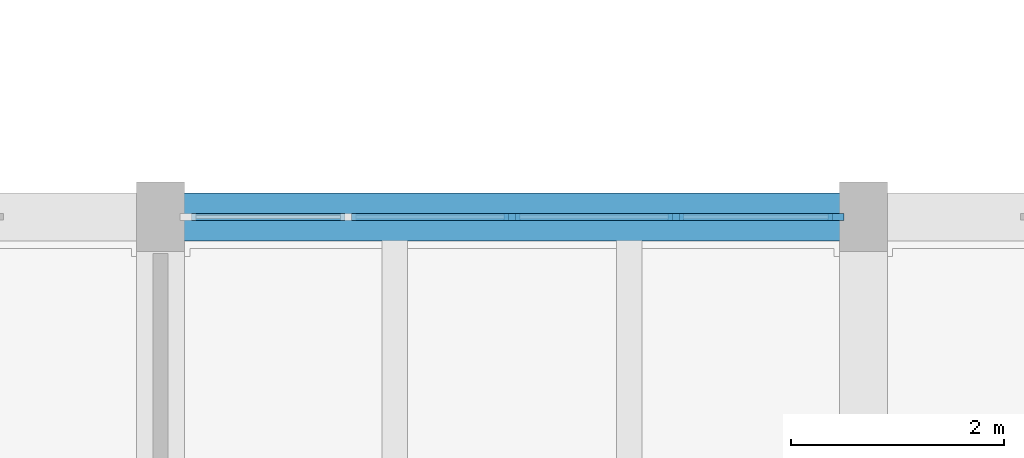
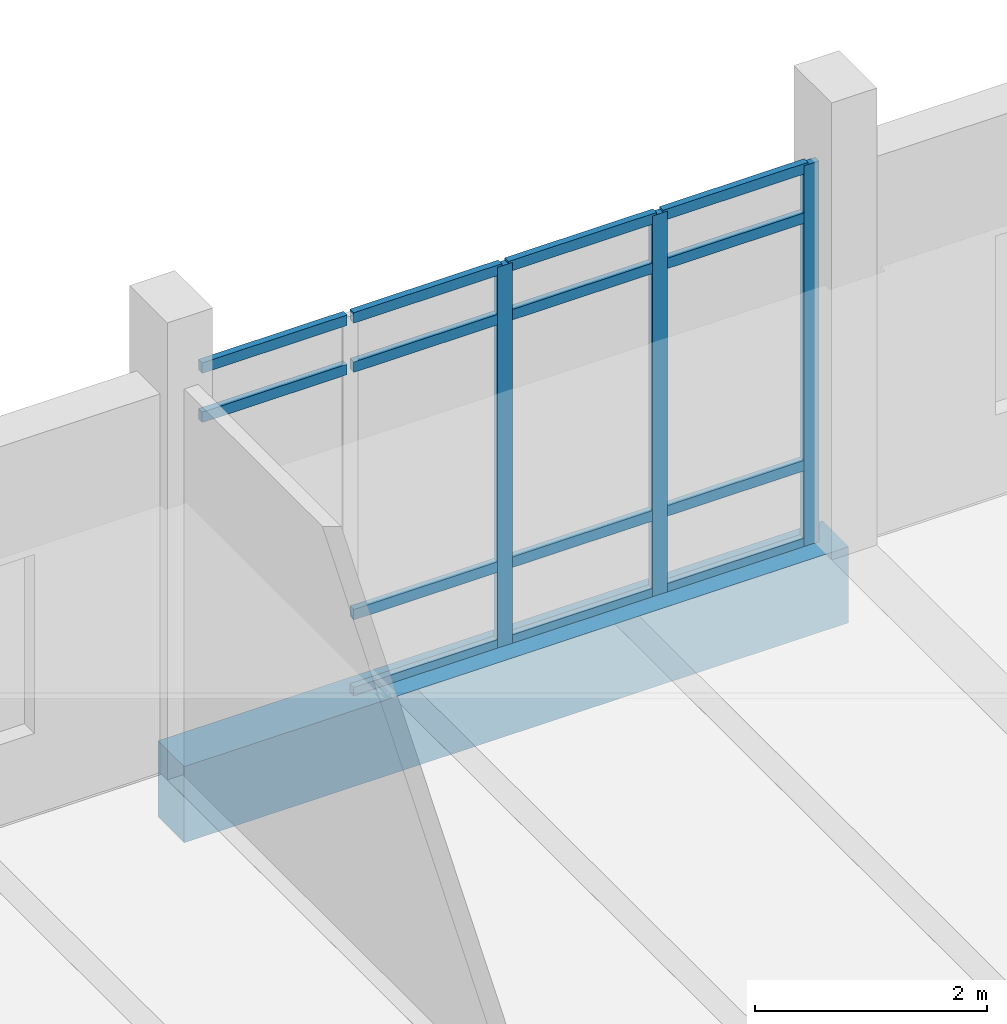
# One storey, part 21 of 101: 17 members, 1 beam, 1 element without a shape of its own.
"""IFC4 building model written with IfcOpenShell, lengths in metres."""

from ifc_helpers import new_model, si_unit, direction, frame, origin, origin_2d, place, context, subcontext, project, spatial, rectangle, extrude, material, material_profile, profile_set, type_object, element, aggregate, save


model = new_model("IFC4")

# Units and contexts
model_context = context("Model", 3, precision=1e-05, world=origin(), true_north=direction((0.0, 1.0)))
body_context = subcontext(model_context, "Body", "Model", "MODEL_VIEW")
ifc_project = project(units=[si_unit("LENGTHUNIT", "METRE"), si_unit("AREAUNIT", "SQUARE_METRE"), si_unit("VOLUMEUNIT", "CUBIC_METRE"), si_unit("PLANEANGLEUNIT", "RADIAN"), si_unit("MASSUNIT", "GRAM", prefix="KILO")], contexts=[model_context])

# Site, building, storey
site_placement = place(None, origin())
site = spatial("IfcSite", under=ifc_project, at=site_placement, CompositionType="ELEMENT")
building_placement = place(site_placement, origin())
building = spatial("IfcBuilding", under=site, at=building_placement, Name="Dornvale Research Institute", CompositionType="ELEMENT")
storey_placement = place(building_placement, frame((0.0, 0.0, 10.199951171875)))
storey = spatial("IfcBuildingStorey", under=building, at=storey_placement, Name="L02", CompositionType="ELEMENT", Elevation=10.199951171875)

# Curtain wall, members
ifc_material_1 = material(Name="Low-E Argon Double Insulating Glazing Unit", Category="glass")
curtain_wall_type = type_object("IfcCurtainWallType", Name="UnitisedCurtainWall_V3_6150x4000", PredefinedType="USERDEFINED", material=ifc_material_1)
curtain_wall_placement = place(storey_placement, origin())
curtain_wall = element("IfcCurtainWall", 1, at=curtain_wall_placement, inside=storey, type_object=curtain_wall_type, Name="L02 V3 unitised curtain wall CW-06 #43", ObjectType="UNITISED CURTAIN WALL", PredefinedType="USERDEFINED")
ifc_material_2 = material(Name="Anodized Aluminum AA 6063-T6 Thermally Broken Frame", Category="aluminium")
ifc_material_profile_1 = material_profile(ifc_material_2, rectangle(XDim=0.06494140625, YDim=0.14990234375, at=origin_2d()), Name="ALU MULLION 65x150")
ifc_profile_set_1 = profile_set([ifc_material_profile_1], Name="Anodized Aluminum AA 6063-T6 Thermally Broken Frame")
member_type_1 = type_object("IfcMemberType", Name="Mullion_CW_65x150", PredefinedType="MULLION", material=ifc_profile_set_1)
member_1_placement = place(storey_placement, frame((122.10009765625, 26.39990234375, 0.0), z_axis=(0.0, 0.0, 1.0), x_axis=(0.0, 1.0, 0.0)))
member_1 = element("IfcMember", 2, at=member_1_placement, type_object=member_type_1, Name="CW-06 mullion 3", PredefinedType="MULLION", context=body_context, shape_type="SweptSolid", body=[
    extrude(rectangle(XDim=0.06494140625, YDim=0.14990234375, at=origin_2d()), origin(), (0.0, 0.0, 1.0), 4.0),
])
member_2_placement = place(storey_placement, frame((123.637451171875, 26.39990234375, 0.0), z_axis=(0.0, 0.0, 1.0), x_axis=(0.0, 1.0, 0.0)))
member_2 = element("IfcMember", 3, at=member_2_placement, type_object=member_type_1, Name="CW-06 mullion 4", PredefinedType="MULLION", context=body_context, shape_type="SweptSolid", body=[
    extrude(rectangle(XDim=0.06494140625, YDim=0.14990234375, at=origin_2d()), origin(), (0.0, 0.0, 1.0), 4.0),
])
member_3_placement = place(storey_placement, frame((125.142578125, 26.39990234375, 0.0), z_axis=(0.0, 0.0, 1.0), x_axis=(0.0, 1.0, 0.0)))
member_3 = element("IfcMember", 4, at=member_3_placement, type_object=member_type_1, Name="CW-06 mullion 5", PredefinedType="MULLION", context=body_context, shape_type="SweptSolid", body=[
    extrude(rectangle(XDim=0.06494140625, YDim=0.14990234375, at=origin_2d()), origin(), (0.0, 0.0, 1.0), 4.0),
])

# Beam
ifc_material_3 = material(Name="Concrete f'c 45 MPa (C35/45)", Category="concrete")
ifc_material_profile_2 = material_profile(ifc_material_3, rectangle(XDim=0.449951171875, YDim=0.800048828125, at=origin_2d()), Name="RC 450x800")
ifc_profile_set_2 = profile_set([ifc_material_profile_2], Name="Concrete f'c 45 MPa (C35/45)")
beam_type = type_object("IfcBeamType", Name="Spandrel_RC450x800_Ext", PredefinedType="SPANDREL", material=ifc_profile_set_2)
beam_placement = place(storey_placement, frame((118.800048828125, 26.39990234375, -0.39990234375), z_axis=(1.0, 0.0, 0.0), x_axis=(0.0, 1.0, 0.0)))
element("IfcBeam", 5, at=beam_placement, inside=storey, type_object=beam_type, Name="L02 perimeter spandrel #737", PredefinedType="SPANDREL", context=body_context, shape_type="SweptSolid", body=[
    extrude(rectangle(XDim=0.449951171875, YDim=0.800048828125, at=origin_2d()), origin(), (0.0, 0.0, 1.0), 6.599853515625),
])

# Member
ifc_material_4 = material(Name="Anodized Aluminum AA 6063-T6 Thermally Broken Frame", Category="aluminium")
ifc_material_profile_3 = material_profile(ifc_material_4, rectangle(XDim=0.06494140625, YDim=0.110107421875, at=origin_2d()), Name="ALU TRANSOM 65x110")
ifc_profile_set_3 = profile_set([ifc_material_profile_3], Name="Anodized Aluminum AA 6063-T6 Thermally Broken Frame")
member_type_2 = type_object("IfcMemberType", Name="Transom_CW_65x110", PredefinedType="USERDEFINED", material=ifc_profile_set_3)
member_4_placement = place(storey_placement, frame((119.090087890625, 26.39990234375, 3.449951171875), z_axis=(1.0, 0.0, 0.0), x_axis=(0.0, 1.0, 0.0)))
member_4 = element("IfcMember", 6, at=member_4_placement, type_object=member_type_2, Name="CW-06 transom 1.3", ObjectType="TRANSOM", PredefinedType="USERDEFINED", context=body_context, shape_type="SweptSolid", body=[
    extrude(rectangle(XDim=0.06494140625, YDim=0.110107421875, at=origin_2d()), origin(), (0.0, 0.0, 1.0), 1.43994140625),
])

member_5_placement = place(storey_placement, frame((119.090087890625, 26.39990234375, 3.967529296875), z_axis=(1.0, 0.0, 0.0), x_axis=(0.0, 1.0, 0.0)))
member_5 = element("IfcMember", 7, at=member_5_placement, type_object=member_type_2, Name="CW-06 transom 1.4", ObjectType="TRANSOM", PredefinedType="USERDEFINED", context=body_context, shape_type="SweptSolid", body=[
    extrude(rectangle(XDim=0.06494140625, YDim=0.110107421875, at=origin_2d()), origin(), (0.0, 0.0, 1.0), 1.43994140625),
])

member_6_placement = place(storey_placement, frame((120.594970703125, 26.39990234375, 0.032470703125), z_axis=(1.0, 0.0, 0.0), x_axis=(0.0, 1.0, 0.0)))
member_6 = element("IfcMember", 8, at=member_6_placement, type_object=member_type_2, Name="CW-06 transom 2.1", ObjectType="TRANSOM", PredefinedType="USERDEFINED", context=body_context, shape_type="SweptSolid", body=[
    extrude(rectangle(XDim=0.06494140625, YDim=0.110107421875, at=origin_2d()), origin(), (0.0, 0.0, 1.0), 1.472412109375),
])

member_7_placement = place(storey_placement, frame((120.594970703125, 26.39990234375, 0.85009765625), z_axis=(1.0, 0.0, 0.0), x_axis=(0.0, 1.0, 0.0)))
member_7 = element("IfcMember", 9, at=member_7_placement, type_object=member_type_2, Name="CW-06 transom 2.2", ObjectType="TRANSOM", PredefinedType="USERDEFINED", context=body_context, shape_type="SweptSolid", body=[
    extrude(rectangle(XDim=0.06494140625, YDim=0.110107421875, at=origin_2d()), origin(), (0.0, 0.0, 1.0), 1.472412109375),
])

member_8_placement = place(storey_placement, frame((120.594970703125, 26.39990234375, 3.449951171875), z_axis=(1.0, 0.0, 0.0), x_axis=(0.0, 1.0, 0.0)))
member_8 = element("IfcMember", 10, at=member_8_placement, type_object=member_type_2, Name="CW-06 transom 2.3", ObjectType="TRANSOM", PredefinedType="USERDEFINED", context=body_context, shape_type="SweptSolid", body=[
    extrude(rectangle(XDim=0.06494140625, YDim=0.110107421875, at=origin_2d()), origin(), (0.0, 0.0, 1.0), 1.472412109375),
])

member_9_placement = place(storey_placement, frame((120.594970703125, 26.39990234375, 3.967529296875), z_axis=(1.0, 0.0, 0.0), x_axis=(0.0, 1.0, 0.0)))
member_9 = element("IfcMember", 11, at=member_9_placement, type_object=member_type_2, Name="CW-06 transom 2.4", ObjectType="TRANSOM", PredefinedType="USERDEFINED", context=body_context, shape_type="SweptSolid", body=[
    extrude(rectangle(XDim=0.06494140625, YDim=0.110107421875, at=origin_2d()), origin(), (0.0, 0.0, 1.0), 1.472412109375),
])

member_10_placement = place(storey_placement, frame((122.132568359375, 26.39990234375, 0.032470703125), z_axis=(1.0, 0.0, 0.0), x_axis=(0.0, 1.0, 0.0)))
member_10 = element("IfcMember", 12, at=member_10_placement, type_object=member_type_2, Name="CW-06 transom 3.1", ObjectType="TRANSOM", PredefinedType="USERDEFINED", context=body_context, shape_type="SweptSolid", body=[
    extrude(rectangle(XDim=0.06494140625, YDim=0.110107421875, at=origin_2d()), origin(), (0.0, 0.0, 1.0), 1.472412109375),
])

member_11_placement = place(storey_placement, frame((122.132568359375, 26.39990234375, 0.85009765625), z_axis=(1.0, 0.0, 0.0), x_axis=(0.0, 1.0, 0.0)))
member_11 = element("IfcMember", 13, at=member_11_placement, type_object=member_type_2, Name="CW-06 transom 3.2", ObjectType="TRANSOM", PredefinedType="USERDEFINED", context=body_context, shape_type="SweptSolid", body=[
    extrude(rectangle(XDim=0.06494140625, YDim=0.110107421875, at=origin_2d()), origin(), (0.0, 0.0, 1.0), 1.472412109375),
])

member_12_placement = place(storey_placement, frame((122.132568359375, 26.39990234375, 3.449951171875), z_axis=(1.0, 0.0, 0.0), x_axis=(0.0, 1.0, 0.0)))
member_12 = element("IfcMember", 14, at=member_12_placement, type_object=member_type_2, Name="CW-06 transom 3.3", ObjectType="TRANSOM", PredefinedType="USERDEFINED", context=body_context, shape_type="SweptSolid", body=[
    extrude(rectangle(XDim=0.06494140625, YDim=0.110107421875, at=origin_2d()), origin(), (0.0, 0.0, 1.0), 1.472412109375),
])

member_13_placement = place(storey_placement, frame((122.132568359375, 26.39990234375, 3.967529296875), z_axis=(1.0, 0.0, 0.0), x_axis=(0.0, 1.0, 0.0)))
member_13 = element("IfcMember", 15, at=member_13_placement, type_object=member_type_2, Name="CW-06 transom 3.4", ObjectType="TRANSOM", PredefinedType="USERDEFINED", context=body_context, shape_type="SweptSolid", body=[
    extrude(rectangle(XDim=0.06494140625, YDim=0.110107421875, at=origin_2d()), origin(), (0.0, 0.0, 1.0), 1.472412109375),
])

member_14_placement = place(storey_placement, frame((123.669921875, 26.39990234375, 0.032470703125), z_axis=(1.0, 0.0, 0.0), x_axis=(0.0, 1.0, 0.0)))
member_14 = element("IfcMember", 16, at=member_14_placement, type_object=member_type_2, Name="CW-06 transom 4.1", ObjectType="TRANSOM", PredefinedType="USERDEFINED", context=body_context, shape_type="SweptSolid", body=[
    extrude(rectangle(XDim=0.06494140625, YDim=0.110107421875, at=origin_2d()), origin(), (0.0, 0.0, 1.0), 1.440185546875),
])

member_15_placement = place(storey_placement, frame((123.669921875, 26.39990234375, 0.85009765625), z_axis=(1.0, 0.0, 0.0), x_axis=(0.0, 1.0, 0.0)))
member_15 = element("IfcMember", 17, at=member_15_placement, type_object=member_type_2, Name="CW-06 transom 4.2", ObjectType="TRANSOM", PredefinedType="USERDEFINED", context=body_context, shape_type="SweptSolid", body=[
    extrude(rectangle(XDim=0.06494140625, YDim=0.110107421875, at=origin_2d()), origin(), (0.0, 0.0, 1.0), 1.440185546875),
])

member_16_placement = place(storey_placement, frame((123.669921875, 26.39990234375, 3.449951171875), z_axis=(1.0, 0.0, 0.0), x_axis=(0.0, 1.0, 0.0)))
member_16 = element("IfcMember", 18, at=member_16_placement, type_object=member_type_2, Name="CW-06 transom 4.3", ObjectType="TRANSOM", PredefinedType="USERDEFINED", context=body_context, shape_type="SweptSolid", body=[
    extrude(rectangle(XDim=0.06494140625, YDim=0.110107421875, at=origin_2d()), origin(), (0.0, 0.0, 1.0), 1.440185546875),
])

member_17_placement = place(storey_placement, frame((123.669921875, 26.39990234375, 3.967529296875), z_axis=(1.0, 0.0, 0.0), x_axis=(0.0, 1.0, 0.0)))
member_17 = element("IfcMember", 19, at=member_17_placement, type_object=member_type_2, Name="CW-06 transom 4.4", ObjectType="TRANSOM", PredefinedType="USERDEFINED", context=body_context, shape_type="SweptSolid", body=[
    extrude(rectangle(XDim=0.06494140625, YDim=0.110107421875, at=origin_2d()), origin(), (0.0, 0.0, 1.0), 1.440185546875),
])

aggregate(curtain_wall, [member_1, member_2, member_3, member_4, member_5, member_6, member_7, member_8, member_9, member_10, member_11, member_12, member_13, member_14, member_15, member_16, member_17])

save(model, "model.ifc")
